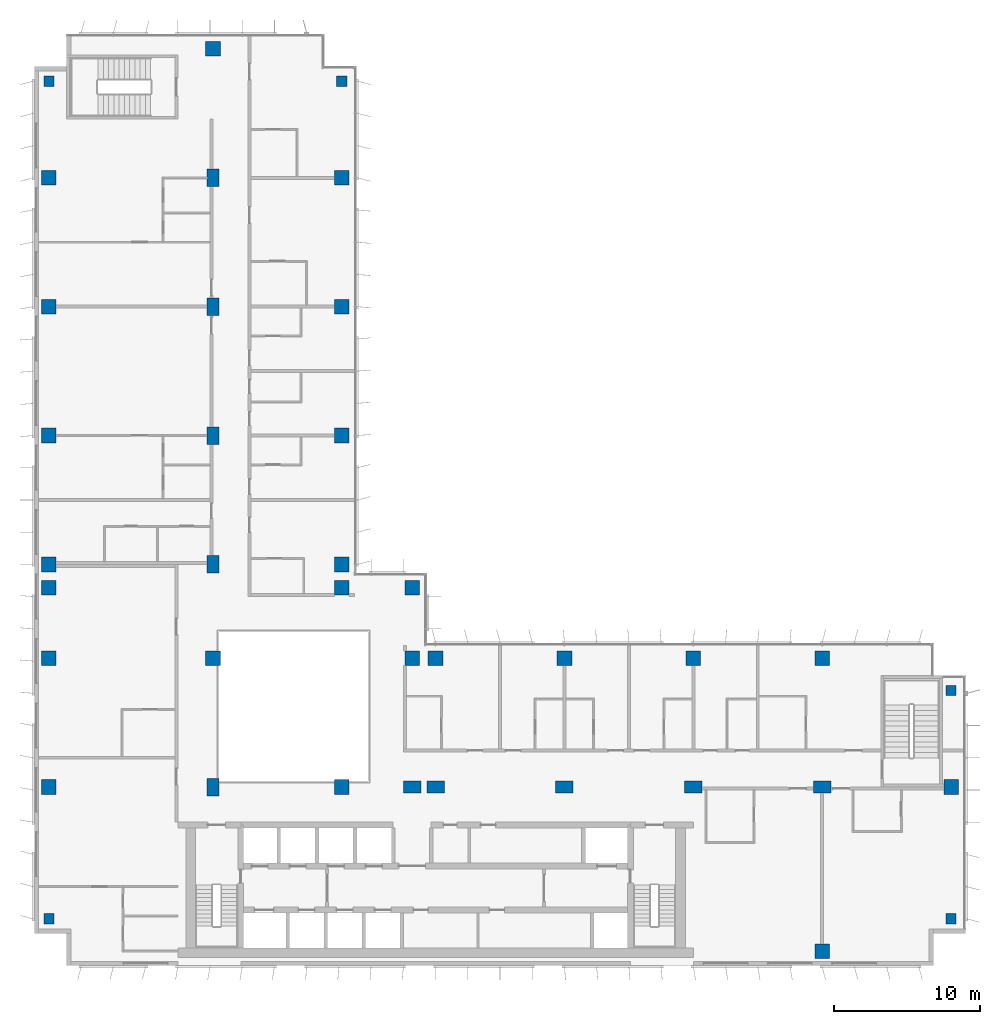
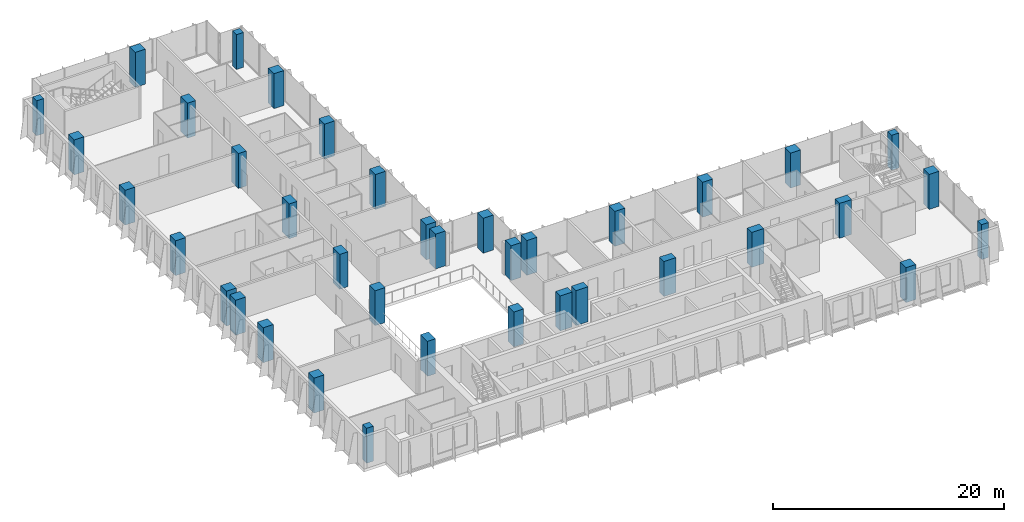
# One storey, part 1 of 21: 38 columns.
"""IFC4 building model written with IfcOpenShell, lengths in metres."""

from ifc_helpers import new_model, si_unit, direction, frame, origin, origin_2d, place, context, subcontext, project, spatial, rectangle, extrude, material, material_profile, profile_set, type_object, element, save


model = new_model("IFC4")

# Units and contexts
model_context = context("Model", 3, precision=1e-05, world=origin(), true_north=direction((0.0, 1.0)))
body_context = subcontext(model_context, "Body", "Model", "MODEL_VIEW")
ifc_project = project(units=[si_unit("LENGTHUNIT", "METRE"), si_unit("AREAUNIT", "SQUARE_METRE"), si_unit("VOLUMEUNIT", "CUBIC_METRE"), si_unit("PLANEANGLEUNIT", "RADIAN"), si_unit("MASSUNIT", "GRAM", prefix="KILO")], contexts=[model_context])

# Site, building, storey
site_placement = place(None, origin())
site = spatial("IfcSite", under=ifc_project, at=site_placement, CompositionType="ELEMENT")
building_placement = place(site_placement, origin())
building = spatial("IfcBuilding", under=site, at=building_placement, Name="Kemantara Hotel Tower", CompositionType="ELEMENT")
storey_placement = place(building_placement, frame((0.0, 0.0, 171.60009765625)))
storey = spatial("IfcBuildingStorey", under=building, at=storey_placement, Name="L42", CompositionType="ELEMENT", Elevation=171.60009765625)

# Columns
ifc_material = material(Name="Concrete fc 60 MPa", Category="concrete")
ifc_material_profile_1 = material_profile(ifc_material, rectangle(XDim=1.0, YDim=1.0, at=origin_2d()), Name="RC 1000X1000")
ifc_profile_set_1 = profile_set([ifc_material_profile_1], Name="Concrete fc 60 MPa")
column_type_1 = type_object("IfcColumnType", Name="RC COLUMN 1000X1000 FC60", PredefinedType="COLUMN", material=ifc_profile_set_1)
for number, where, z_axis, x_axis, name in (
    (1, (1.0, 12.199951171875, 0.0), (0.0, 0.0, 1.0), (1.0, 0.0, 0.0), "COLUMN 1/BA L42"),
    (2, (1.0, 21.0, 0.0), (0.0, 0.0, 1.0), (1.0, 0.0, 0.0), "COLUMN 1/C L42"),
    (3, (1.0, 25.800048828125, 0.0), (0.0, 0.0, 1.0), (1.0, 0.0, 0.0), "COLUMN 1/CA L42"),
    (4, (1.0, 27.39990234375, 0.0), (0.0, 0.0, 1.0), (1.0, 0.0, 0.0), "COLUMN 1/D L42"),
    (5, (1.0, 36.199951171875, 0.0), (0.0, 0.0, 1.0), (1.0, 0.0, 0.0), "COLUMN 1/E L42"),
    (6, (1.0, 45.0, 0.0), (0.0, 0.0, 1.0), (1.0, 0.0, 0.0), "COLUMN 1/F L42"),
    (7, (1.0, 53.800048828125, 0.0), (0.0, 0.0, 1.0), (1.0, 0.0, 0.0), "COLUMN 1/G L42"),
    (8, (12.199951171875, 21.0, 0.0), (0.0, 0.0, 1.0), (1.0, 0.0, 0.0), "COLUMN 2A/C L42"),
    (9, (12.199951171875, 62.60009765625, 0.0), (0.0, 0.0, 1.0), (1.0, 0.0, 0.0), "COLUMN 2A/H L42"),
    (10, (21.0, 12.199951171875, 0.0), (0.0, 0.0, 1.0), (1.0, 0.0, 0.0), "COLUMN 3/BA L42"),
    (11, (21.0, 25.800048828125, 0.0), (0.0, 0.0, 1.0), (1.0, 0.0, 0.0), "COLUMN 3/CA L42"),
    (12, (21.0, 27.39990234375, 0.0), (0.0, 0.0, 1.0), (1.0, 0.0, 0.0), "COLUMN 3/D L42"),
    (13, (21.0, 36.199951171875, 0.0), (0.0, 0.0, 1.0), (1.0, 0.0, 0.0), "COLUMN 3/E L42"),
    (14, (21.0, 45.0, 0.0), (0.0, 0.0, 1.0), (1.0, 0.0, 0.0), "COLUMN 3/F L42"),
    (15, (21.0, 53.800048828125, 0.0), (0.0, 0.0, 1.0), (1.0, 0.0, 0.0), "COLUMN 3/G L42"),
    (16, (25.800048828125, 21.0, 0.0), (0.0, 0.0, 1.0), (1.0, 0.0, 0.0), "COLUMN 3A/C L42"),
    (17, (25.800048828125, 25.800048828125, 0.0), (0.0, 0.0, 1.0), (1.0, 0.0, 0.0), "COLUMN 3A/CA L42"),
    (18, (27.39990234375, 21.0, 0.0), (0.0, 0.0, 1.0), (1.0, 0.0, 0.0), "COLUMN 4/C L42"),
    (19, (36.199951171875, 21.0, 0.0), (0.0, 0.0, 1.0), (1.0, 0.0, 0.0), "COLUMN 5/C L42"),
    (20, (45.0, 21.0, 0.0), (0.0, 0.0, 1.0), (1.0, 0.0, 0.0), "COLUMN 6/C L42"),
    (21, (53.800048828125, 1.0, 0.0), (0.0, 0.0, 1.0), (1.0, 0.0, 0.0), "COLUMN 7/A L42"),
    (22, (53.800048828125, 21.0, 0.0), (0.0, 0.0, 1.0), (1.0, 0.0, 0.0), "COLUMN 7/C L42"),
    (23, (62.60009765625, 12.199951171875, 0.0), (0.0, 0.0, 1.0), (1.0, 0.0, 0.0), "COLUMN 8/BA L42"),
):
    element("IfcColumn", number, at=place(storey_placement, frame(where, z_axis=z_axis, x_axis=x_axis)), inside=storey, type_object=column_type_1, Name=name, PredefinedType="COLUMN", context=body_context, shape_type="SweptSolid", body=[
        extrude(rectangle(XDim=1.0, YDim=1.0, at=origin_2d()), origin(), (0.0, 0.0, 1.0), 3.699951171875),
    ])
ifc_material_profile_2 = material_profile(ifc_material, rectangle(XDim=1.199951171875, YDim=0.800048828125, at=origin_2d()), Name="RC 1200X800")
ifc_profile_set_2 = profile_set([ifc_material_profile_2], Name="Concrete fc 60 MPa")
column_type_2 = type_object("IfcColumnType", Name="RC COLUMN 1200X800 FC60", PredefinedType="COLUMN", material=ifc_profile_set_2)
for number, where, z_axis, x_axis, name in (
    (24, (12.199951171875, 12.199951171875, 0.0), (0.0, 0.0, 1.0), (0.0, 1.0, 0.0), "COLUMN 2A/BA L42"),
    (25, (12.199951171875, 27.39990234375, 0.0), (0.0, 0.0, 1.0), (0.0, 1.0, 0.0), "COLUMN 2A/D L42"),
    (26, (12.199951171875, 36.199951171875, 0.0), (0.0, 0.0, 1.0), (0.0, 1.0, 0.0), "COLUMN 2A/E L42"),
    (27, (12.199951171875, 45.0, 0.0), (0.0, 0.0, 1.0), (0.0, 1.0, 0.0), "COLUMN 2A/F L42"),
    (28, (12.199951171875, 53.800048828125, 0.0), (0.0, 0.0, 1.0), (0.0, 1.0, 0.0), "COLUMN 2A/G L42"),
    (29, (25.800048828125, 12.199951171875, 0.0), (0.0, 0.0, 1.0), (1.0, 0.0, 0.0), "COLUMN 3A/BA L42"),
    (30, (27.39990234375, 12.199951171875, 0.0), (0.0, 0.0, 1.0), (1.0, 0.0, 0.0), "COLUMN 4/BA L42"),
    (31, (36.199951171875, 12.199951171875, 0.0), (0.0, 0.0, 1.0), (1.0, 0.0, 0.0), "COLUMN 5/BA L42"),
    (32, (45.0, 12.199951171875, 0.0), (0.0, 0.0, 1.0), (1.0, 0.0, 0.0), "COLUMN 6/BA L42"),
    (33, (53.800048828125, 12.199951171875, 0.0), (0.0, 0.0, 1.0), (1.0, 0.0, 0.0), "COLUMN 7/BA L42"),
):
    element("IfcColumn", number, at=place(storey_placement, frame(where, z_axis=z_axis, x_axis=x_axis)), inside=storey, type_object=column_type_2, Name=name, PredefinedType="COLUMN", context=body_context, shape_type="SweptSolid", body=[
        extrude(rectangle(XDim=1.199951171875, YDim=0.800048828125, at=origin_2d()), origin(), (0.0, 0.0, 1.0), 3.699951171875),
    ])
ifc_material_profile_3 = material_profile(ifc_material, rectangle(XDim=0.699951171875, YDim=0.699951171875, at=origin_2d()), Name="RC 700X700")
ifc_profile_set_3 = profile_set([ifc_material_profile_3], Name="Concrete fc 60 MPa")
column_type_3 = type_object("IfcColumnType", Name="RC COLUMN 700X700 FC60", PredefinedType="COLUMN", material=ifc_profile_set_3)
for number, where, z_axis, x_axis, name in (
    (34, (1.0, 3.199951171875, 0.0), (0.0, 0.0, 1.0), (1.0, 0.0, 0.0), "COLUMN notch corner L42"),
    (35, (1.0, 60.39990234375, 0.0), (0.0, 0.0, 1.0), (1.0, 0.0, 0.0), "COLUMN notch corner L42"),
    (36, (21.0, 60.39990234375, 0.0), (0.0, 0.0, 1.0), (1.0, 0.0, 0.0), "COLUMN notch corner L42"),
    (37, (62.60009765625, 3.199951171875, 0.0), (0.0, 0.0, 1.0), (1.0, 0.0, 0.0), "COLUMN notch corner L42"),
    (38, (62.60009765625, 18.800048828125, 0.0), (0.0, 0.0, 1.0), (1.0, 0.0, 0.0), "COLUMN notch corner L42"),
):
    element("IfcColumn", number, at=place(storey_placement, frame(where, z_axis=z_axis, x_axis=x_axis)), inside=storey, type_object=column_type_3, Name=name, PredefinedType="COLUMN", context=body_context, shape_type="SweptSolid", body=[
        extrude(rectangle(XDim=0.699951171875, YDim=0.699951171875, at=origin_2d()), origin(), (0.0, 0.0, 1.0), 3.699951171875),
    ])

save(model, "model.ifc")
